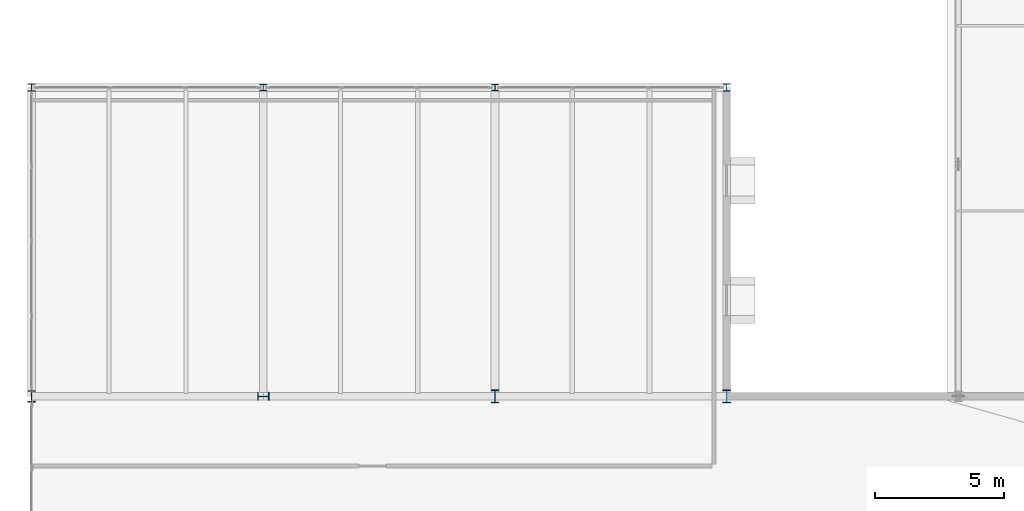
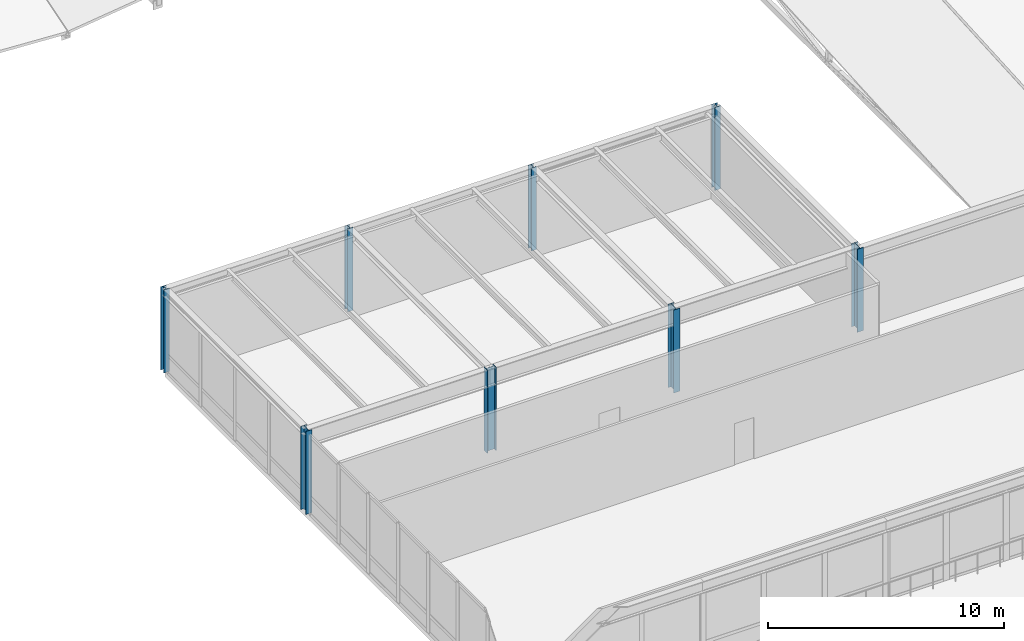
# One storey, part 2 of 142: 8 columns.
"""IFC4 building model written with IfcOpenShell, lengths in metres."""

from ifc_helpers import new_model, si_unit, direction, frame, origin, origin_2d, place, context, subcontext, project, spatial, i_section, extrude, material, material_profile, profile_set, type_object, element, save


model = new_model("IFC4")

# Units and contexts
model_context = context("Model", 3, precision=1e-05, world=origin(), true_north=direction((0.0, 1.0)))
body_context = subcontext(model_context, "Body", "Model", "MODEL_VIEW")
ifc_project = project(units=[si_unit("LENGTHUNIT", "METRE"), si_unit("AREAUNIT", "SQUARE_METRE"), si_unit("VOLUMEUNIT", "CUBIC_METRE"), si_unit("PLANEANGLEUNIT", "RADIAN"), si_unit("MASSUNIT", "GRAM", prefix="KILO")], contexts=[model_context])

# Site, building, storey
site_placement = place(None, origin())
site = spatial("IfcSite", under=ifc_project, at=site_placement, CompositionType="ELEMENT")
building_placement = place(site_placement, origin())
building = spatial("IfcBuilding", under=site, at=building_placement, Name="Montelvaro Courts of Justice", CompositionType="ELEMENT")
storey_placement = place(building_placement, frame((0.0, 0.0, 14.39990234375)))
storey = spatial("IfcBuildingStorey", under=building, at=storey_placement, Name="L03", CompositionType="ELEMENT", Elevation=14.39990234375)

# Columns
ifc_material = material(Name="Steel S355", Category="steel")
ifc_material_profile_1 = material_profile(ifc_material, i_section(OverallWidth=0.260009765625, OverallDepth=0.260009765625, WebThickness=0.010009765625, FlangeThickness=0.017578125, at=origin_2d()), Name="HEB 260")
ifc_profile_set_1 = profile_set([ifc_material_profile_1], Name="Steel S355")
column_type_1 = type_object("IfcColumnType", Name="Col_HEB260", PredefinedType="COLUMN", material=ifc_profile_set_1)
for number, where, z_axis, x_axis, name in (
    (1, (27.0, 54.0, 0.0), (0.0, 0.0, 1.0), (1.0, 0.0, 0.0), "Column C-01 L03 4/E"),
    (2, (36.0, 54.0, 0.0), (0.0, 0.0, 1.0), (1.0, 0.0, 0.0), "Column C-01 L03 5/E"),
):
    element("IfcColumn", number, at=place(storey_placement, frame(where, z_axis=z_axis, x_axis=x_axis)), inside=storey, type_object=column_type_1, Name=name, PredefinedType="COLUMN", context=body_context, shape_type="SweptSolid", body=[
        extrude(i_section(OverallWidth=0.260009765625, OverallDepth=0.260009765625, WebThickness=0.010009765625, FlangeThickness=0.017578125, at=origin_2d()), origin(), (0.0, 0.0, 1.0), 4.300048828125),
    ])
ifc_material_profile_2 = material_profile(ifc_material, i_section(OverallWidth=0.280029296875, OverallDepth=0.280029296875, WebThickness=0.010498046875, FlangeThickness=0.01806640625, at=origin_2d()), Name="HEB 280")
ifc_profile_set_2 = profile_set([ifc_material_profile_2], Name="Steel S355")
column_type_2 = type_object("IfcColumnType", Name="Col_HEB280", PredefinedType="COLUMN", material=ifc_profile_set_2)
for number, where, z_axis, x_axis, name in (
    (3, (18.0, 54.0, 0.0), (0.0, 0.0, 1.0), (1.0, 0.0, 0.0), "Column C-02 L03 3/E"),
    (4, (45.0, 54.0, 0.0), (0.0, 0.0, 1.0), (1.0, 0.0, 0.0), "Column C-02 L03 6/E"),
):
    element("IfcColumn", number, at=place(storey_placement, frame(where, z_axis=z_axis, x_axis=x_axis)), inside=storey, type_object=column_type_2, Name=name, PredefinedType="COLUMN", context=body_context, shape_type="SweptSolid", body=[
        extrude(i_section(OverallWidth=0.280029296875, OverallDepth=0.280029296875, WebThickness=0.010498046875, FlangeThickness=0.01806640625, at=origin_2d()), origin(), (0.0, 0.0, 1.0), 4.300048828125),
    ])
ifc_material_profile_3 = material_profile(ifc_material, i_section(OverallWidth=0.300048828125, OverallDepth=0.449951171875, WebThickness=0.013916015625, FlangeThickness=0.02587890625, at=origin_2d()), Name="HEB 450")
ifc_profile_set_3 = profile_set([ifc_material_profile_3], Name="Steel S355")
column_type_3 = type_object("IfcColumnType", Name="Col_HEB450", PredefinedType="COLUMN", material=ifc_profile_set_3)
for number, where, z_axis, x_axis, name in (
    (5, (18.0, 42.0, 0.0), (0.0, 0.0, 1.0), (1.0, 0.0, 0.0), "Column C-08 L03 3/D"),
    (6, (27.0, 42.0, 0.0), (0.0, 0.0, 1.0), (0.0, 1.0, 0.0), "Column C-08 L03 4/D"),
):
    element("IfcColumn", number, at=place(storey_placement, frame(where, z_axis=z_axis, x_axis=x_axis)), inside=storey, type_object=column_type_3, Name=name, PredefinedType="COLUMN", context=body_context, shape_type="SweptSolid", body=[
        extrude(i_section(OverallWidth=0.300048828125, OverallDepth=0.449951171875, WebThickness=0.013916015625, FlangeThickness=0.02587890625, at=origin_2d()), origin(), (0.0, 0.0, 1.0), 4.300048828125),
    ])
ifc_material_profile_4 = material_profile(ifc_material, i_section(OverallWidth=0.300048828125, OverallDepth=0.5, WebThickness=0.014404296875, FlangeThickness=0.028076171875, at=origin_2d()), Name="HEB 500")
ifc_profile_set_4 = profile_set([ifc_material_profile_4], Name="Steel S355")
column_type_4 = type_object("IfcColumnType", Name="Col_HEB500", PredefinedType="COLUMN", material=ifc_profile_set_4)
for number, where, z_axis, x_axis, name in (
    (7, (36.0, 42.0, 0.0), (0.0, 0.0, 1.0), (1.0, 0.0, 0.0), "Column C-09 L03 5/D"),
    (8, (45.0, 42.0, 0.0), (0.0, 0.0, 1.0), (1.0, 0.0, 0.0), "Column C-09 L03 6/D"),
):
    element("IfcColumn", number, at=place(storey_placement, frame(where, z_axis=z_axis, x_axis=x_axis)), inside=storey, type_object=column_type_4, Name=name, PredefinedType="COLUMN", context=body_context, shape_type="SweptSolid", body=[
        extrude(i_section(OverallWidth=0.300048828125, OverallDepth=0.5, WebThickness=0.014404296875, FlangeThickness=0.028076171875, at=origin_2d()), origin(), (0.0, 0.0, 1.0), 4.300048828125),
    ])

save(model, "model.ifc")
